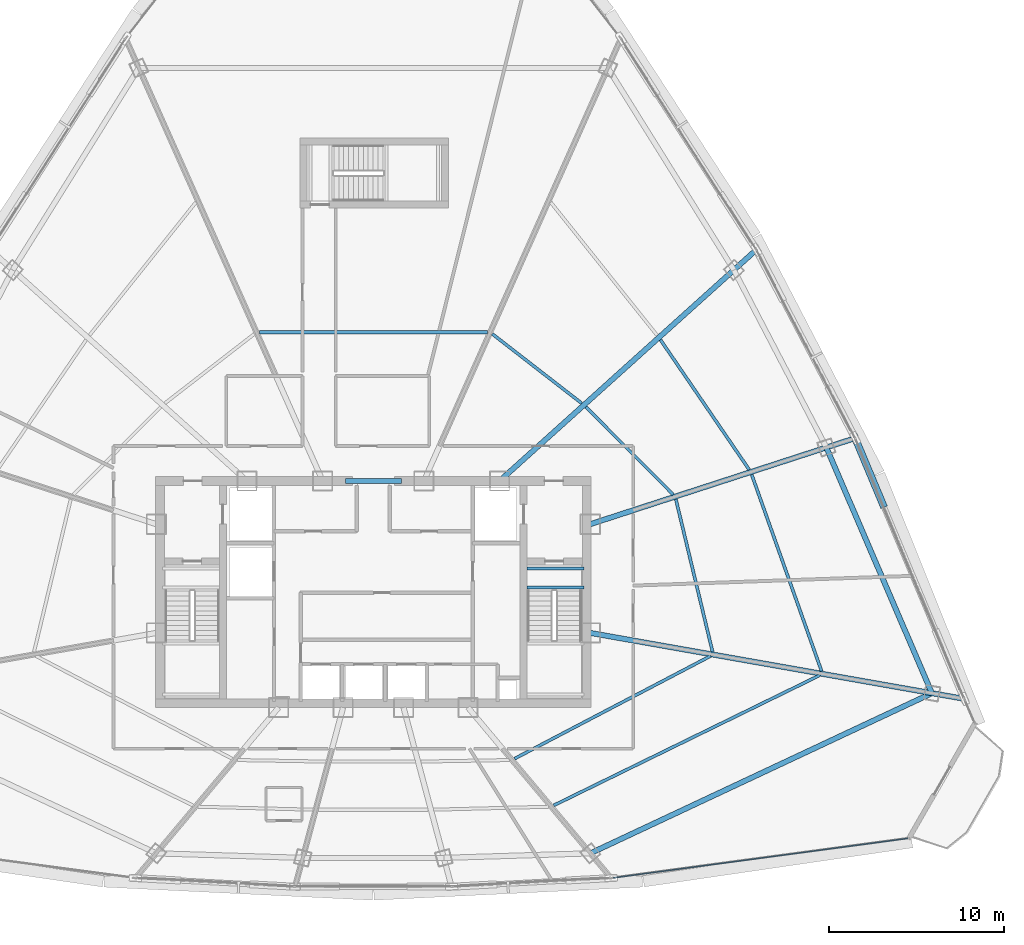
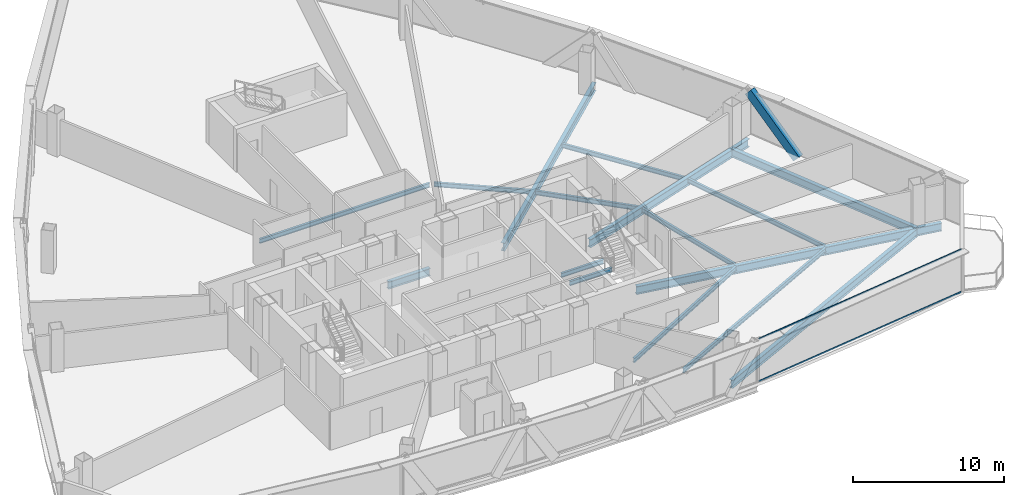
# One storey, part 15 of 37: 16 beams, 3 members, 1 element without a shape of its own.
"""IFC4 building model written with IfcOpenShell, lengths in metres."""

from ifc_helpers import new_model, si_unit, direction, frame, origin, origin_2d, place, context, subcontext, project, spatial, hollow_rectangle, i_section, extrude, source, transform, mapped, material, layer, layer_set, material_profile, profile_set, type_object, element, aggregate, save


model = new_model("IFC4")

# Units and contexts
model_context = context("Model", 3, precision=1e-05, world=origin(), true_north=direction((0.0, 1.0)))
body_context = subcontext(model_context, "Body", "Model", "MODEL_VIEW")
ifc_project = project(units=[si_unit("LENGTHUNIT", "METRE"), si_unit("AREAUNIT", "SQUARE_METRE"), si_unit("VOLUMEUNIT", "CUBIC_METRE"), si_unit("PLANEANGLEUNIT", "RADIAN"), si_unit("MASSUNIT", "GRAM", prefix="KILO"), si_unit("THERMODYNAMICTEMPERATUREUNIT", "KELVIN"), si_unit("POWERUNIT", "WATT")], contexts=[model_context])

# Site, building, storey
site_placement = place(None, origin())
site = spatial("IfcSite", under=ifc_project, at=site_placement, CompositionType="ELEMENT")
building_placement = place(site_placement, origin())
building = spatial("IfcBuilding", under=site, at=building_placement, Name="Yunzhuo Pagoda Commons", CompositionType="ELEMENT")
storey_placement = place(building_placement, frame((0.0, 0.0, 251.989990234375)))
storey = spatial("IfcBuildingStorey", under=building, at=storey_placement, Name="L63", CompositionType="ELEMENT", Elevation=251.989990234375)

# Beams
ifc_material_1 = material(Name="Structural steel Q355B", Category="steel")
ifc_material_profile_1 = material_profile(ifc_material_1, i_section(OverallWidth=0.175048828125, OverallDepth=0.35009765625, WebThickness=0.007080078125, FlangeThickness=0.010986328125, at=origin_2d()), Name="Structural steel Q355B")
ifc_profile_set_1 = profile_set([ifc_material_profile_1], Name="Structural steel Q355B")
beam_type_1 = type_object("IfcBeamType", Name="B-JS2 Joist HN 350x175x7x11", PredefinedType="JOIST", material=ifc_profile_set_1)
shared_shape_1 = source(origin(), body_context, "Body", "SweptSolid", [
    extrude(i_section(OverallWidth=0.175048828125, OverallDepth=0.35009765625, WebThickness=0.007080078125, FlangeThickness=0.010986328125, at=origin_2d()), origin(), (0.0, 0.0, 1.0), 3.25),
])
for number, where, z_axis, x_axis, name in (
    (1, (56.800048828125, 34.10009765625, -0.375), (1.0, 0.0, 0.0), (0.0, 1.0, 0.0), "L63 ST2 landing support beam 167A"),
    (2, (56.800048828125, 35.199951171875, -0.375), (1.0, 0.0, 0.0), (0.0, 1.0, 0.0), "L63 ST2 landing support beam 167B"),
):
    element("IfcBeam", number, at=place(storey_placement, frame(where, z_axis=z_axis, x_axis=x_axis)), inside=storey, type_object=beam_type_1, Name=name, PredefinedType="JOIST", context=body_context, shape_type="MappedRepresentation", body=[
        mapped(shared_shape_1, transform((0.0, 0.0, 0.0), scale=1.0)),
    ])
ifc_material_2 = material(Name="Structural steel Q420B", Category="steel")
ifc_material_profile_2 = material_profile(ifc_material_2, i_section(OverallWidth=0.300048828125, OverallDepth=0.587890625, WebThickness=0.011962890625, FlangeThickness=0.02001953125, at=origin_2d()), Name="Structural steel Q420B")
ifc_profile_set_2 = profile_set([ifc_material_profile_2], Name="Structural steel Q420B")
beam_type_2 = type_object("IfcBeamType", Name="B-CPL Beam HM 588x300x12x20", PredefinedType="BEAM", material=ifc_profile_set_2)
shared_shape_2 = source(origin(), body_context, "Body", "SweptSolid", [
    extrude(i_section(OverallWidth=0.300048828125, OverallDepth=0.587890625, WebThickness=0.011962890625, FlangeThickness=0.02001953125, at=origin_2d()), origin(), (0.0, 0.0, 1.0), 3.2001953125),
])
beam_1_placement = place(storey_placement, frame((46.39990234375, 40.199951171875, -0.553955078125), z_axis=(1.0, 0.0, 0.0), x_axis=(0.0, 1.0, 0.0)))
element("IfcBeam", 3, at=beam_1_placement, inside=storey, type_object=beam_type_2, Name="L63 core coupling girder", PredefinedType="BEAM", context=body_context, shape_type="MappedRepresentation", body=[
    mapped(shared_shape_2, transform((0.0, 0.0, 0.0), scale=1.0)),
])
ifc_material_profile_3 = material_profile(ifc_material_1, i_section(OverallWidth=0.300048828125, OverallDepth=0.64990234375, WebThickness=0.012939453125, FlangeThickness=0.02197265625, at=origin_2d()), Name="Structural steel Q355B")
ifc_profile_set_3 = profile_set([ifc_material_profile_3], Name="Structural steel Q355B")
beam_type_3 = type_object("IfcBeamType", Name="B-RG2 Beam HN 650x300x13x22", PredefinedType="BEAM", material=ifc_profile_set_3)
shared_shape_3 = source(origin(), body_context, "Body", "SweptSolid", [
    extrude(i_section(OverallWidth=0.300048828125, OverallDepth=0.64990234375, WebThickness=0.012939453125, FlangeThickness=0.02197265625, at=origin_2d()), origin(), (0.0, 0.0, 1.0), 21.56689453125),
])
beam_2_placement = place(storey_placement, frame((60.406982421875, 18.913818359375, -0.5849609375), z_axis=(0.905424265365, 0.424507832304, 0.0), x_axis=(-0.424507832304, 0.905424265365, 0.0)))
element("IfcBeam", 4, at=beam_2_placement, inside=storey, type_object=beam_type_3, Name="L63 column-ring beam 4", PredefinedType="BEAM", context=body_context, shape_type="MappedRepresentation", body=[
    mapped(shared_shape_3, transform((0.0, 0.0, 0.0), scale=1.0)),
])
shared_shape_4 = source(origin(), body_context, "Body", "SweptSolid", [
    extrude(i_section(OverallWidth=0.300048828125, OverallDepth=0.64990234375, WebThickness=0.012939453125, FlangeThickness=0.02197265625, at=origin_2d()), origin(), (0.0, 0.0, 1.0), 15.28759765625),
])
beam_3_placement = place(storey_placement, frame((79.93408203125, 28.069091796875, -0.5849609375), z_axis=(-0.394788372839, 0.918772083093, 0.0), x_axis=(-0.918772083093, -0.394788372839, 0.0)))
element("IfcBeam", 5, at=beam_3_placement, inside=storey, type_object=beam_type_3, Name="L63 column-ring beam 5", PredefinedType="BEAM", context=body_context, shape_type="MappedRepresentation", body=[
    mapped(shared_shape_4, transform((0.0, 0.0, 0.0), scale=1.0)),
])
shared_shape_5 = source(origin(), body_context, "Body", "SweptSolid", [
    extrude(i_section(OverallWidth=0.175048828125, OverallDepth=0.35009765625, WebThickness=0.007080078125, FlangeThickness=0.010986328125, at=origin_2d()), origin(), (0.0, 0.0, 1.0), 12.666259765625),
])
beam_4_placement = place(storey_placement, frame((56.0712890625, 24.32275390625, -0.43505859375), z_axis=(0.885841344078, 0.463988268302, 0.0), x_axis=(-0.463988268302, 0.885841344078, 0.0)))
element("IfcBeam", 6, at=beam_4_placement, inside=storey, type_object=beam_type_1, Name="L63 composite ring joist 1.4", PredefinedType="JOIST", context=body_context, shape_type="MappedRepresentation", body=[
    mapped(shared_shape_5, transform((0.0, 0.0, 0.0), scale=1.0)),
])
shared_shape_6 = source(origin(), body_context, "Body", "SweptSolid", [
    extrude(i_section(OverallWidth=0.175048828125, OverallDepth=0.35009765625, WebThickness=0.007080078125, FlangeThickness=0.010986328125, at=origin_2d()), origin(), (0.0, 0.0, 1.0), 16.95361328125),
])
beam_5_placement = place(storey_placement, frame((58.3115234375, 21.6513671875, -0.43505859375), z_axis=(0.898261717675, 0.439460904473, 0.0), x_axis=(-0.439460904473, 0.898261717675, 0.0)))
element("IfcBeam", 7, at=beam_5_placement, inside=storey, type_object=beam_type_1, Name="L63 composite ring joist 2.4", PredefinedType="JOIST", context=body_context, shape_type="MappedRepresentation", body=[
    mapped(shared_shape_6, transform((0.0, 0.0, 0.0), scale=1.0)),
])
shared_shape_7 = source(origin(), body_context, "Body", "SweptSolid", [
    extrude(i_section(OverallWidth=0.175048828125, OverallDepth=0.35009765625, WebThickness=0.007080078125, FlangeThickness=0.010986328125, at=origin_2d()), origin(), (0.0, 0.0, 1.0), 8.973876953125),
])
beam_6_placement = place(storey_placement, frame((67.395263671875, 30.42822265625, -0.43505859375), z_axis=(-0.233858589105, 0.972270620919, 0.0), x_axis=(-0.972270620919, -0.233858589105, 0.0)))
element("IfcBeam", 8, at=beam_6_placement, inside=storey, type_object=beam_type_1, Name="L63 composite ring joist 1.5", PredefinedType="JOIST", context=body_context, shape_type="MappedRepresentation", body=[
    mapped(shared_shape_7, transform((0.0, 0.0, 0.0), scale=1.0)),
])
shared_shape_8 = source(origin(), body_context, "Body", "SweptSolid", [
    extrude(i_section(OverallWidth=0.175048828125, OverallDepth=0.35009765625, WebThickness=0.007080078125, FlangeThickness=0.010986328125, at=origin_2d()), origin(), (0.0, 0.0, 1.0), 11.929931640625),
])
beam_7_placement = place(storey_placement, frame((73.6298828125, 29.3212890625, -0.43505859375), z_axis=(-0.335086374925, 0.942187413066, 0.0), x_axis=(-0.942187413066, -0.335086374925, 0.0)))
element("IfcBeam", 9, at=beam_7_placement, inside=storey, type_object=beam_type_1, Name="L63 composite ring joist 2.5", PredefinedType="JOIST", context=body_context, shape_type="MappedRepresentation", body=[
    mapped(shared_shape_8, transform((0.0, 0.0, 0.0), scale=1.0)),
])
shared_shape_9 = source(origin(), body_context, "Body", "SweptSolid", [
    extrude(i_section(OverallWidth=0.175048828125, OverallDepth=0.35009765625, WebThickness=0.007080078125, FlangeThickness=0.010986328125, at=origin_2d()), origin(), (0.0, 0.0, 1.0), 7.0732421875),
])
beam_8_placement = place(storey_placement, frame((65.147216796875, 39.42041015625, -0.43505859375), z_axis=(-0.706139657206, 0.708072584218, 0.0), x_axis=(-0.708072584218, -0.706139657206, 0.0)))
element("IfcBeam", 10, at=beam_8_placement, inside=storey, type_object=beam_type_1, Name="L63 composite ring joist 1.6", PredefinedType="JOIST", context=body_context, shape_type="MappedRepresentation", body=[
    mapped(shared_shape_9, transform((0.0, 0.0, 0.0), scale=1.0)),
])
shared_shape_10 = source(origin(), body_context, "Body", "SweptSolid", [
    extrude(i_section(OverallWidth=0.175048828125, OverallDepth=0.35009765625, WebThickness=0.007080078125, FlangeThickness=0.010986328125, at=origin_2d()), origin(), (0.0, 0.0, 1.0), 8.99365234375),
])
beam_9_placement = place(storey_placement, frame((69.4892578125, 40.8427734375, -0.43505859375), z_axis=(-0.564098900337, 0.825707230584, 0.0), x_axis=(-0.825707230584, -0.564098900337, 0.0)))
element("IfcBeam", 11, at=beam_9_placement, inside=storey, type_object=beam_type_1, Name="L63 composite ring joist 2.6", PredefinedType="JOIST", context=body_context, shape_type="MappedRepresentation", body=[
    mapped(shared_shape_10, transform((0.0, 0.0, 0.0), scale=1.0)),
])
shared_shape_11 = source(origin(), body_context, "Body", "SweptSolid", [
    extrude(i_section(OverallWidth=0.175048828125, OverallDepth=0.35009765625, WebThickness=0.007080078125, FlangeThickness=0.010986328125, at=origin_2d()), origin(), (0.0, 0.0, 1.0), 6.4677734375),
])
beam_10_placement = place(storey_placement, frame((59.914794921875, 44.638671875, -0.43505859375), z_axis=(-0.790160481991, 0.612900002202, 0.0), x_axis=(-0.612900002202, -0.790160481991, 0.0)))
element("IfcBeam", 12, at=beam_10_placement, inside=storey, type_object=beam_type_1, Name="L63 composite ring joist 1.7", PredefinedType="JOIST", context=body_context, shape_type="MappedRepresentation", body=[
    mapped(shared_shape_11, transform((0.0, 0.0, 0.0), scale=1.0)),
])
shared_shape_12 = source(origin(), body_context, "Body", "SweptSolid", [
    extrude(i_section(OverallWidth=0.175048828125, OverallDepth=0.35009765625, WebThickness=0.007080078125, FlangeThickness=0.010986328125, at=origin_2d()), origin(), (0.0, 0.0, 1.0), 13.0390625),
])
beam_11_placement = place(storey_placement, frame((54.51953125, 48.7001953125, -0.43505859375), z_axis=(-1.0, 0.0, 0.0), x_axis=(0.0, -1.0, 0.0)))
element("IfcBeam", 13, at=beam_11_placement, inside=storey, type_object=beam_type_1, Name="L63 composite ring joist 1.8", PredefinedType="JOIST", context=body_context, shape_type="MappedRepresentation", body=[
    mapped(shared_shape_12, transform((0.0, 0.0, 0.0), scale=1.0)),
])
shared_shape_13 = source(origin(), body_context, "Body", "SweptSolid", [
    extrude(i_section(OverallWidth=0.300048828125, OverallDepth=0.64990234375, WebThickness=0.012939453125, FlangeThickness=0.02197265625, at=origin_2d()), origin(), (0.0, 0.0, 1.0), 21.561279296875),
])
beam_12_placement = place(storey_placement, frame((81.633544921875, 27.76953125, -0.5849609375), z_axis=(-0.984809082291, 0.173640638784, 0.0), x_axis=(-0.173640638784, -0.984809082291, 0.0)))
element("IfcBeam", 14, at=beam_12_placement, inside=storey, type_object=beam_type_3, Name="L63 radial floor girder F2C1", PredefinedType="BEAM", context=body_context, shape_type="MappedRepresentation", body=[
    mapped(shared_shape_13, transform((0.0, 0.0, 0.0), scale=1.0)),
])
shared_shape_14 = source(origin(), body_context, "Body", "SweptSolid", [
    extrude(i_section(OverallWidth=0.300048828125, OverallDepth=0.64990234375, WebThickness=0.012939453125, FlangeThickness=0.02197265625, at=origin_2d()), origin(), (0.0, 0.0, 1.0), 15.7705078125),
])
beam_13_placement = place(storey_placement, frame((75.398681640625, 42.602294921875, -0.5849609375), z_axis=(-0.951058525128, -0.309010811754, 0.0), x_axis=(0.309010811754, -0.951058525128, 0.0)))
element("IfcBeam", 15, at=beam_13_placement, inside=storey, type_object=beam_type_3, Name="L63 radial floor girder F2C2", PredefinedType="BEAM", context=body_context, shape_type="MappedRepresentation", body=[
    mapped(shared_shape_14, transform((0.0, 0.0, 0.0), scale=1.0)),
])
shared_shape_15 = source(origin(), body_context, "Body", "SweptSolid", [
    extrude(i_section(OverallWidth=0.300048828125, OverallDepth=0.64990234375, WebThickness=0.012939453125, FlangeThickness=0.02197265625, at=origin_2d()), origin(), (0.0, 0.0, 1.0), 19.60302734375),
])
beam_14_placement = place(storey_placement, frame((69.78662109375, 53.317138671875, -0.5849609375), z_axis=(-0.743133733174, -0.669142925405, 0.0), x_axis=(0.669142925405, -0.743133733174, 0.0)))
element("IfcBeam", 16, at=beam_14_placement, inside=storey, type_object=beam_type_3, Name="L63 radial floor girder F2C3", PredefinedType="BEAM", context=body_context, shape_type="MappedRepresentation", body=[
    mapped(shared_shape_15, transform((0.0, 0.0, 0.0), scale=1.0)),
])

# Member
ifc_material_profile_4 = material_profile(ifc_material_1, hollow_rectangle(XDim=0.39990234375, YDim=0.719970703125, WallThickness=0.02392578125, at=origin_2d()), Name="Structural steel Q355B")
ifc_profile_set_4 = profile_set([ifc_material_profile_4], Name="Structural steel Q355B")
member_type_1 = type_object("IfcMemberType", Name="M-DL2 Brace BOX 720x400x24", PredefinedType="BRACE", material=ifc_profile_set_4)
shared_shape_16 = source(origin(), body_context, "Body", "SweptSolid", [
    extrude(hollow_rectangle(XDim=0.39990234375, YDim=0.719970703125, WallThickness=0.02392578125, at=origin_2d()), origin(), (0.0, 0.0, 1.0), 5.498779296875),
])
member_1_placement = place(storey_placement, frame((77.106201171875, 38.92333984375, -0.259765625), z_axis=(-0.28371444396, 0.67780668255, 0.678295079872), x_axis=(-0.922449997595, -0.386116565219, 0.0)))
element("IfcMember", 17, at=member_1_placement, inside=storey, type_object=member_type_1, Name="L63 facade diamond brace F2.1R", PredefinedType="BRACE", context=body_context, shape_type="MappedRepresentation", body=[
    mapped(shared_shape_16, transform((0.0, 0.0, 0.0), scale=1.0)),
])

# Curtain wall, members
ifc_material_3 = material(Name="Anodized aluminium 6063-T6", Category="aluminium")
ifc_layer = layer(ifc_material_3, 0.139892578125)
ifc_layer_set = layer_set([ifc_layer], Name="Anodized aluminium 6063-T6")
curtain_wall_type = type_object("IfcCurtainWallType", Name="CW-HI High-Zone Ribbon Curtain Wall", PredefinedType="NOTDEFINED", material=ifc_layer_set)
curtain_wall_placement = place(storey_placement, origin())
curtain_wall = element("IfcCurtainWall", 18, at=curtain_wall_placement, inside=storey, type_object=curtain_wall_type, Name="L63 curtain wall CW-L63-F1B5", PredefinedType="NOTDEFINED")
ifc_material_profile_5 = material_profile(ifc_material_3, hollow_rectangle(XDim=0.054931640625, YDim=0.1201171875, WallThickness=0.00341796875, at=origin_2d()), Name="Anodized aluminium 6063-T6")
ifc_profile_set_5 = profile_set([ifc_material_profile_5], Name="Anodized aluminium 6063-T6")
member_type_2 = type_object("IfcMemberType", Name="CW-HI-T Transom RHS 120x55x3.5", PredefinedType="USERDEFINED", material=ifc_profile_set_5)
shared_shape_17 = source(origin(), body_context, "Body", "SweptSolid", [
    extrude(hollow_rectangle(XDim=0.054931640625, YDim=0.1201171875, WallThickness=0.00341796875, at=origin_2d()), origin(), (0.0, 0.0, 1.0), 16.98193359375),
])
member_2_placement = place(storey_placement, frame((61.729248046875, 17.515380859375, 0.027587890625), z_axis=(0.991158834011, 0.132680690992, 0.0), x_axis=(-0.132680690992, 0.991158834011, 0.0)))
member_2 = element("IfcMember", 19, at=member_2_placement, type_object=member_type_2, Name="CW transom 1.1", ObjectType="TRANSOM", PredefinedType="USERDEFINED", context=body_context, shape_type="MappedRepresentation", body=[
    mapped(shared_shape_17, transform((0.0, 0.0, 0.0), scale=1.0)),
])
member_3_placement = place(storey_placement, frame((61.729248046875, 17.515380859375, 3.442626953125), z_axis=(0.991158834011, 0.132680690992, 0.0), x_axis=(-0.132680690992, 0.991158834011, 0.0)))
member_3 = element("IfcMember", 20, at=member_3_placement, type_object=member_type_2, Name="CW transom 1.2", ObjectType="TRANSOM", PredefinedType="USERDEFINED", context=body_context, shape_type="MappedRepresentation", body=[
    mapped(shared_shape_17, transform((0.0, 0.0, 0.0), scale=1.0)),
])
aggregate(curtain_wall, [member_2, member_3])

save(model, "model.ifc")
